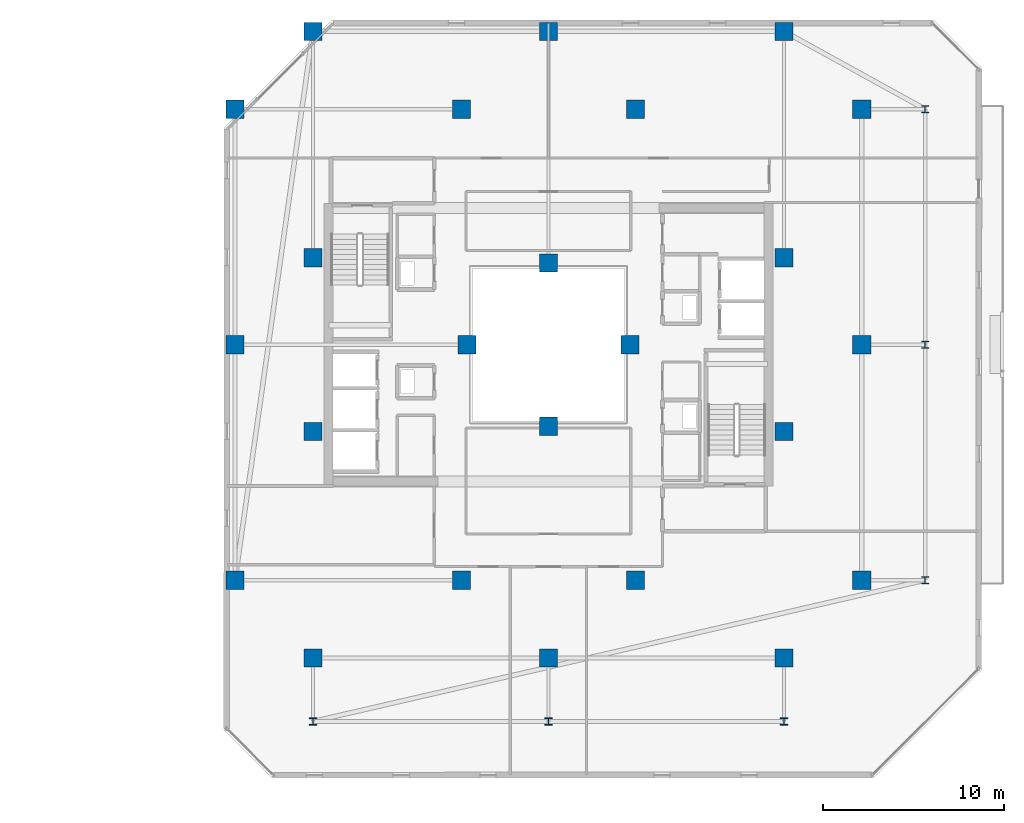
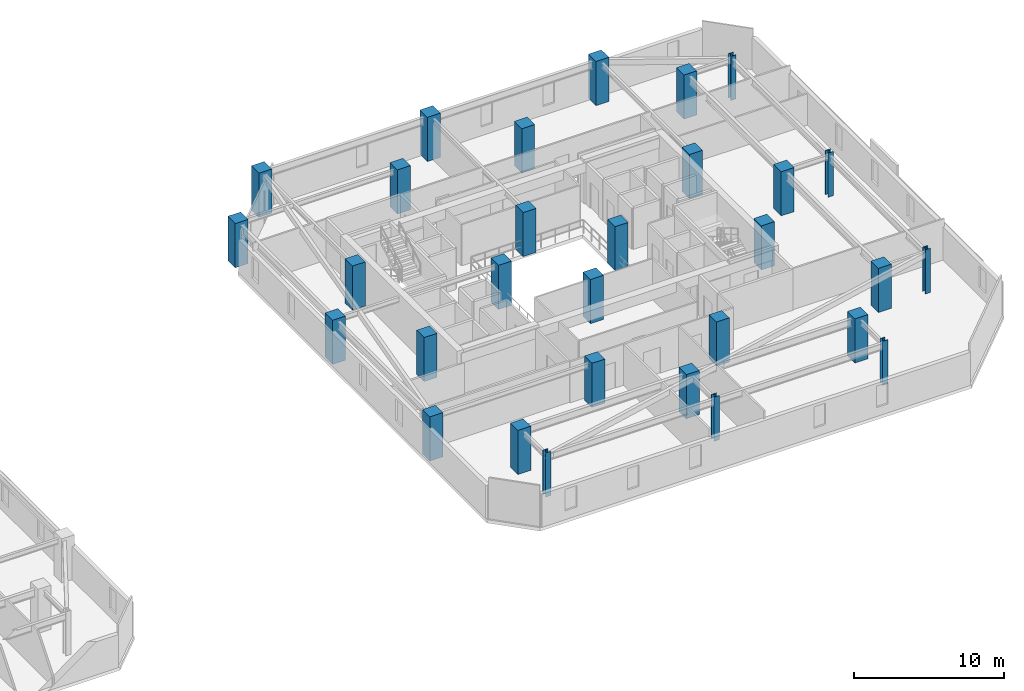
# One storey, part 2 of 31: 30 columns.
"""IFC4 building model written with IfcOpenShell, lengths in metres."""

from ifc_helpers import new_model, si_unit, direction, frame, origin, origin_2d, place, context, subcontext, project, spatial, rectangle, i_section, extrude, material, material_profile, profile_set, type_object, element, save


model = new_model("IFC4")

# Units and contexts
model_context = context("Model", 3, precision=1e-05, world=origin(), true_north=direction((0.0, 1.0)))
body_context = subcontext(model_context, "Body", "Model", "MODEL_VIEW")
ifc_project = project(units=[si_unit("LENGTHUNIT", "METRE"), si_unit("AREAUNIT", "SQUARE_METRE"), si_unit("VOLUMEUNIT", "CUBIC_METRE"), si_unit("PLANEANGLEUNIT", "RADIAN"), si_unit("MASSUNIT", "GRAM", prefix="KILO")], contexts=[model_context])

# Site, building, storey
site_placement = place(None, origin())
site = spatial("IfcSite", under=ifc_project, at=site_placement, CompositionType="ELEMENT")
building_placement = place(site_placement, origin())
building = spatial("IfcBuilding", under=site, at=building_placement, Name="Thornwick Lancets Civic Towers", CompositionType="ELEMENT")
storey_placement = place(building_placement, frame((0.0, 0.0, 233.10009765625)))
storey = spatial("IfcBuildingStorey", under=building, at=storey_placement, Name="L62", CompositionType="ELEMENT", Elevation=233.10009765625)

# Columns
ifc_material_1 = material(Name="Concrete C50/60", Category="concrete")
ifc_material_profile_1 = material_profile(ifc_material_1, rectangle(XDim=1.0, YDim=1.0, at=origin_2d()), Name="RC 1000x1000")
ifc_profile_set_1 = profile_set([ifc_material_profile_1], Name="Concrete C50/60")
column_type_1 = type_object("IfcColumnType", Name="COL_RC_1000", PredefinedType="COLUMN", material=ifc_profile_set_1)
for number, where, z_axis, x_axis, name in (
    (1, (105.800048828125, 14.0, 0.0), (0.0, 0.0, 1.0), (1.0, 0.0, 0.0), "L62 Spine Mega-Column B01"),
    (2, (105.800048828125, 27.0, 0.0), (0.0, 0.0, 1.0), (1.0, 0.0, 0.0), "L62 Spine Mega-Column B02"),
    (3, (105.800048828125, 40.0, 0.0), (0.0, 0.0, 1.0), (1.0, 0.0, 0.0), "L62 Spine Mega-Column B03"),
    (4, (101.5, 44.300048828125, 0.0), (0.0, 0.0, 1.0), (1.0, 0.0, 0.0), "L62 Spine Mega-Column B04"),
    (5, (88.5, 44.300048828125, 0.0), (0.0, 0.0, 1.0), (1.0, 0.0, 0.0), "L62 Spine Mega-Column B05"),
    (6, (75.5, 44.300048828125, 0.0), (0.0, 0.0, 1.0), (1.0, 0.0, 0.0), "L62 Spine Mega-Column B06"),
    (7, (71.199951171875, 14.0, 0.0), (0.0, 0.0, 1.0), (1.0, 0.0, 0.0), "L62 Spine Mega-Column B07"),
    (8, (71.199951171875, 27.0, 0.0), (0.0, 0.0, 1.0), (1.0, 0.0, 0.0), "L62 Spine Mega-Column B08"),
    (9, (71.199951171875, 40.0, 0.0), (0.0, 0.0, 1.0), (1.0, 0.0, 0.0), "L62 Spine Mega-Column B09"),
    (10, (101.5, 9.699951171875, 0.0), (0.0, 0.0, 1.0), (1.0, 0.0, 0.0), "L62 Spine Mega-Column B10"),
    (11, (88.5, 9.699951171875, 0.0), (0.0, 0.0, 1.0), (1.0, 0.0, 0.0), "L62 Spine Mega-Column B11"),
    (12, (75.5, 9.699951171875, 0.0), (0.0, 0.0, 1.0), (1.0, 0.0, 0.0), "L62 Spine Mega-Column B12"),
    (13, (93.300048828125, 14.0, 0.0), (0.0, 0.0, 1.0), (1.0, 0.0, 0.0), "L62 Spine Mega-Column B13"),
    (14, (93.300048828125, 40.0, 0.0), (0.0, 0.0, 1.0), (1.0, 0.0, 0.0), "L62 Spine Mega-Column B14"),
    (15, (83.699951171875, 14.0, 0.0), (0.0, 0.0, 1.0), (1.0, 0.0, 0.0), "L62 Spine Mega-Column B15"),
    (16, (83.699951171875, 40.0, 0.0), (0.0, 0.0, 1.0), (1.0, 0.0, 0.0), "L62 Spine Mega-Column B16"),
    (17, (101.5, 22.199951171875, 0.0), (0.0, 0.0, 1.0), (1.0, 0.0, 0.0), "L62 Spine Mega-Column B17"),
    (18, (101.5, 31.800048828125, 0.0), (0.0, 0.0, 1.0), (1.0, 0.0, 0.0), "L62 Spine Mega-Column B18"),
    (19, (75.5, 22.199951171875, 0.0), (0.0, 0.0, 1.0), (1.0, 0.0, 0.0), "L62 Spine Mega-Column B19"),
    (20, (75.5, 31.800048828125, 0.0), (0.0, 0.0, 1.0), (1.0, 0.0, 0.0), "L62 Spine Mega-Column B20"),
    (21, (93.0, 27.0, 0.0), (0.0, 0.0, 1.0), (1.0, 0.0, 0.0), "L62 Spine Mega-Column B21"),
    (22, (84.0, 27.0, 0.0), (0.0, 0.0, 1.0), (1.0, 0.0, 0.0), "L62 Spine Mega-Column B22"),
    (23, (88.5, 22.5, 0.0), (0.0, 0.0, 1.0), (1.0, 0.0, 0.0), "L62 Spine Mega-Column B23"),
    (24, (88.5, 31.5, 0.0), (0.0, 0.0, 1.0), (1.0, 0.0, 0.0), "L62 Spine Mega-Column B24"),
):
    element("IfcColumn", number, at=place(storey_placement, frame(where, z_axis=z_axis, x_axis=x_axis)), inside=storey, type_object=column_type_1, Name=name, PredefinedType="COLUMN", context=body_context, shape_type="SweptSolid", body=[
        extrude(rectangle(XDim=1.0, YDim=1.0, at=origin_2d()), origin(), (0.0, 0.0, 1.0), 3.599853515625),
    ])
ifc_material_2 = material(Name="Steel S355JR", Category="steel")
ifc_material_profile_2 = material_profile(ifc_material_2, i_section(OverallWidth=0.39892578125, OverallDepth=0.3935546875, WebThickness=0.022705078125, FlangeThickness=0.03662109375, FilletRadius=0.01513671875, at=origin_2d()), Name="UKC 356x406x287")
ifc_profile_set_2 = profile_set([ifc_material_profile_2], Name="Steel S355JR")
column_type_2 = type_object("IfcColumnType", Name="COL_UKC_287", PredefinedType="COLUMN", material=ifc_profile_set_2)
for number, where, z_axis, x_axis, name in (
    (25, (109.300048828125, 14.0, 0.0), (0.0, 0.0, 1.0), (1.0, 0.0, 0.0), "L62 Block Perimeter Column B01"),
    (26, (109.300048828125, 27.0, 0.0), (0.0, 0.0, 1.0), (1.0, 0.0, 0.0), "L62 Block Perimeter Column B02"),
    (27, (109.300048828125, 40.0, 0.0), (0.0, 0.0, 1.0), (1.0, 0.0, 0.0), "L62 Block Perimeter Column B03"),
    (28, (101.5, 6.199951171875, 0.0), (0.0, 0.0, 1.0), (1.0, 0.0, 0.0), "L62 Block Perimeter Column B10"),
    (29, (88.5, 6.199951171875, 0.0), (0.0, 0.0, 1.0), (1.0, 0.0, 0.0), "L62 Block Perimeter Column B11"),
    (30, (75.5, 6.199951171875, 0.0), (0.0, 0.0, 1.0), (1.0, 0.0, 0.0), "L62 Block Perimeter Column B12"),
):
    element("IfcColumn", number, at=place(storey_placement, frame(where, z_axis=z_axis, x_axis=x_axis)), inside=storey, type_object=column_type_2, Name=name, PredefinedType="COLUMN", context=body_context, shape_type="SweptSolid", body=[
        extrude(i_section(OverallWidth=0.39892578125, OverallDepth=0.3935546875, WebThickness=0.022705078125, FlangeThickness=0.03662109375, FilletRadius=0.01513671875, at=origin_2d()), origin(), (0.0, 0.0, 1.0), 3.599853515625),
    ])

save(model, "model.ifc")
